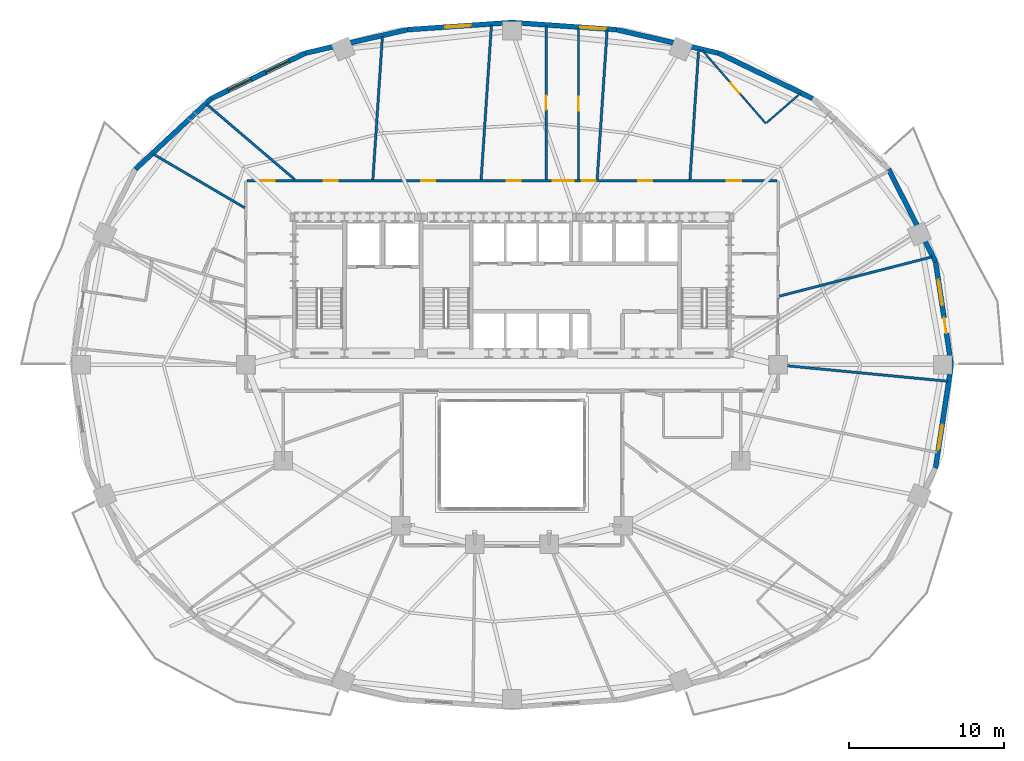
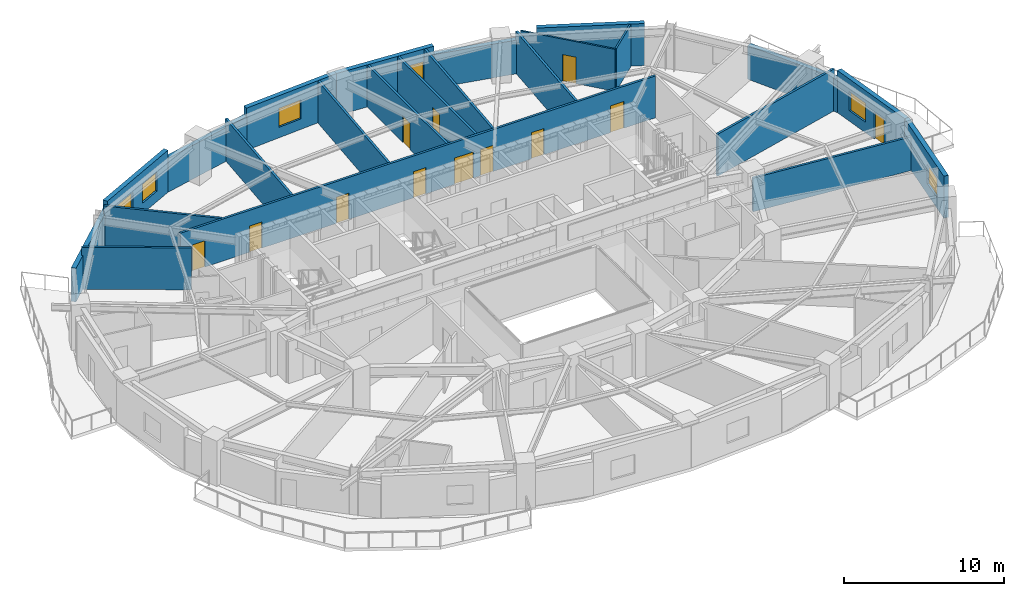
# One storey, part 10 of 14: 23 walls, 12 doors, 6 windows, 18 openings.
"""IFC4 building model written with IfcOpenShell, lengths in metres."""

from ifc_helpers import new_model, si_unit, direction, frame, frame_2d, origin, place, context, subcontext, project, spatial, rectangle, extrude, material, layer, layer_set, type_object, element, fill, save


model = new_model("IFC4")

# Units and contexts
model_context = context("Model", 3, precision=1e-05, world=origin(), true_north=direction((0.0, 1.0)))
body_context = subcontext(model_context, "Body", "Model", "MODEL_VIEW")
ifc_project = project(units=[si_unit("LENGTHUNIT", "METRE"), si_unit("AREAUNIT", "SQUARE_METRE"), si_unit("VOLUMEUNIT", "CUBIC_METRE"), si_unit("PLANEANGLEUNIT", "RADIAN"), si_unit("MASSUNIT", "GRAM", prefix="KILO")], contexts=[model_context])

# Site, building, storey
site_placement = place(None, origin())
site = spatial("IfcSite", under=ifc_project, at=site_placement, CompositionType="ELEMENT")
building_placement = place(site_placement, origin())
building = spatial("IfcBuilding", under=site, at=building_placement, Name="Haldorwick Loom Tower", CompositionType="ELEMENT")
storey_placement = place(building_placement, frame((0.0, 0.0, 99.050048828125)))
storey = spatial("IfcBuildingStorey", under=building, at=storey_placement, Name="L26", CompositionType="ELEMENT", Elevation=99.050048828125)

# Wall, openings, door, window
ifc_material_1 = material(Name="Pressed Clay Face Brick and Insulated Masonry Backup Assembly", Category="masonry")
ifc_layer_1 = layer(ifc_material_1, 0.320068359375, Name="Pressed Clay Face Brick and Insulated Masonry Backup Assembly", Category="masonry")
ifc_layer_set_1 = layer_set([ifc_layer_1], Name="Pressed Clay Face Brick and Insulated Masonry Backup Assembly")
wall_type_1 = type_object("IfcWallType", Name="ARC-WL-EXT320", PredefinedType="STANDARD", material=ifc_layer_set_1)
wall_1_placement = place(storey_placement, frame((64.397705078125, 26.0, 0.0), z_axis=(0.0, 0.0, 1.0), x_axis=(-0.150633288003, 0.988589708901, 0.0)))
wall_1 = element("IfcWall", 1, at=wall_1_placement, inside=storey, type_object=wall_type_1, Name="L26 Brick Pier and Spandrel Wall 1", PredefinedType="STANDARD", context=body_context, shape_type="SweptSolid", body=[
    extrude(rectangle(XDim=6.752197265625, YDim=0.320068359375, at=frame_2d((3.3759765625, 0.0))), origin(), (0.0, 0.0, 1.0), 3.2099609375),
])
opening_1_placement = place(wall_1_placement, frame((2.070556640625, 0.0, 0.0)))
opening_1 = element("IfcOpeningElement", 2, at=opening_1_placement, cuts=wall_1, Name="Opening D-BL10", PredefinedType="OPENING", context=body_context, shape_type="SweptSolid", body=[
    extrude(rectangle(XDim=1.0, YDim=2.0400390625, at=frame_2d((0.5, 1.02001953125))), frame((0.0, 0.169921875, 0.0), z_axis=(0.0, -1.0, 0.0), x_axis=(1.0, 0.0, 0.0)), (0.0, 0.0, 1.0), 0.340087890625),
])
opening_2_placement = place(wall_1_placement, frame((3.9013671875, 0.0, 0.800048828125)))
opening_2 = element("IfcOpeningElement", 3, at=opening_2_placement, cuts=wall_1, Name="Opening W-01B", PredefinedType="OPENING", context=body_context, shape_type="SweptSolid", body=[
    extrude(rectangle(XDim=1.64990234375, YDim=1.449951171875, at=frame_2d((0.824951171875, 0.72509765625))), frame((0.0, 0.169921875, 0.0), z_axis=(0.0, -1.0, 0.0), x_axis=(1.0, 0.0, 0.0)), (0.0, 0.0, 1.0), 0.340087890625),
])
ifc_material_2 = material(Name="Thermally Broken Anodized Aluminium Curtain Wall Framing", Category="aluminium")
door_type_1 = type_object("IfcDoorType", Name="ARC-DR-BAL100", OperationType="NOTDEFINED", PredefinedType="DOOR", material=ifc_material_2)
door_1_placement = place(opening_1_placement, origin())
door_1 = element("IfcDoor", 4, at=door_1_placement, inside=storey, type_object=door_type_1, Name="L26 Outdoor Terrace Door SLB-L26-BAL_ENE", OperationType="SINGLE_SWING_RIGHT", OverallHeight=2.0400390625, OverallWidth=1.0, PredefinedType="DOOR", context=body_context, shape_type="SweptSolid", body=[
    extrude(rectangle(XDim=1.0, YDim=2.0400390625, at=frame_2d((0.5, 1.02001953125))), frame((0.0, 0.02490234375, 0.0), z_axis=(0.0, -1.0, 0.0), x_axis=(1.0, 0.0, 0.0)), (0.0, 0.0, 1.0), 0.050048828125),
])
fill(opening_1, door_1)
ifc_material_3 = material(Name="Triple-Glazed Low-E Argon Insulated Glazing Unit", Category="glass")
window_type = type_object("IfcWindowType", Name="ARC-WIN-W165", PartitioningType="SINGLE_PANEL", PredefinedType="WINDOW", material=ifc_material_3)
window_1_placement = place(opening_2_placement, origin())
window_1 = element("IfcWindow", 5, at=window_1_placement, inside=storey, type_object=window_type, Name="L26 Deep-Set Zone 7A Window 1", OverallHeight=1.449951171875, OverallWidth=1.64990234375, PartitioningType="SINGLE_PANEL", PredefinedType="WINDOW", context=body_context, shape_type="SweptSolid", body=[
    extrude(rectangle(XDim=1.64990234375, YDim=1.449951171875, at=frame_2d((0.824951171875, 0.72509765625))), frame((0.0, 0.030029296875, 0.0), z_axis=(0.0, -1.0, 0.0), x_axis=(1.0, 0.0, 0.0)), (0.0, 0.0, 1.0), 0.06005859375),
])
fill(opening_2, window_1)

# Walls
wall_2_placement = place(storey_placement, frame((63.380615234375, 32.675048828125, 0.0), z_axis=(0.0, 0.0, 1.0), x_axis=(-0.453374078001, 0.89132033826, 0.0)))
element("IfcWall", 6, at=wall_2_placement, inside=storey, type_object=wall_type_1, Name="L26 Brick Pier and Spandrel Wall 2", PredefinedType="STANDARD", context=body_context, shape_type="SweptSolid", body=[
    extrude(rectangle(XDim=6.709716796875, YDim=0.320068359375, at=frame_2d((3.35498046875, 0.0))), origin(), (0.0, 0.0, 1.0), 2.56884765625),
])
wall_3_placement = place(storey_placement, frame((55.426513671875, 43.2255859375, 0.0), z_axis=(0.0, 0.0, 1.0), x_axis=(-0.900510094661, 0.434835106004, 0.0)))
element("IfcWall", 7, at=wall_3_placement, inside=storey, type_object=wall_type_1, Name="L26 Brick Pier and Spandrel Wall 4", PredefinedType="STANDARD", context=body_context, shape_type="SweptSolid", body=[
    extrude(rectangle(XDim=6.744873046875, YDim=0.320068359375, at=frame_2d((3.37255859375, 0.0))), origin(), (0.0, 0.0, 1.0), 3.2099609375),
])
wall_4_placement = place(storey_placement, frame((49.352783203125, 46.158447265625, 0.0), z_axis=(0.0, 0.0, 1.0), x_axis=(-0.974584177714, 0.224021607329, 0.0)))
element("IfcWall", 8, at=wall_4_placement, inside=storey, type_object=wall_type_1, Name="L26 Brick Pier and Spandrel Wall 5", PredefinedType="STANDARD", context=body_context, shape_type="SweptSolid", body=[
    extrude(rectangle(XDim=6.767822265625, YDim=0.320068359375, at=frame_2d((3.3837890625, 0.0))), origin(), (0.0, 0.0, 1.0), 2.56884765625),
])

# Wall, opening, window
wall_5_placement = place(storey_placement, frame((42.757080078125, 47.674560546875, 0.0), z_axis=(0.0, 0.0, 1.0), x_axis=(-0.997651949344, 0.068487867318, 0.0)))
wall_5 = element("IfcWall", 9, at=wall_5_placement, inside=storey, type_object=wall_type_1, Name="L26 Brick Pier and Spandrel Wall 6", PredefinedType="STANDARD", context=body_context, shape_type="SweptSolid", body=[
    extrude(rectangle(XDim=6.77294921875, YDim=0.320068359375, at=frame_2d((3.386474609375, 0.0))), origin(), (0.0, 0.0, 1.0), 3.2099609375),
])
opening_3_placement = place(wall_5_placement, frame((0.7001953125, 0.0, 0.800048828125)))
opening_3 = element("IfcOpeningElement", 10, at=opening_3_placement, cuts=wall_5, Name="Opening W-01B", PredefinedType="OPENING", context=body_context, shape_type="SweptSolid", body=[
    extrude(rectangle(XDim=1.64990234375, YDim=1.449951171875, at=frame_2d((0.824951171875, 0.72509765625))), frame((0.0, 0.169921875, 0.0), z_axis=(0.0, -1.0, 0.0), x_axis=(1.0, 0.0, 0.0)), (0.0, 0.0, 1.0), 0.340087890625),
])
window_2_placement = place(opening_3_placement, origin())
window_2 = element("IfcWindow", 11, at=window_2_placement, inside=storey, type_object=window_type, Name="L26 Deep-Set Zone 7A Window 6", OverallHeight=1.449951171875, OverallWidth=1.64990234375, PartitioningType="SINGLE_PANEL", PredefinedType="WINDOW", context=body_context, shape_type="SweptSolid", body=[
    extrude(rectangle(XDim=1.64990234375, YDim=1.449951171875, at=frame_2d((0.824951171875, 0.72509765625))), frame((0.0, 0.030029296875, 0.0), z_axis=(0.0, -1.0, 0.0), x_axis=(1.0, 0.0, 0.0)), (0.0, 0.0, 1.0), 0.06005859375),
])
fill(opening_3, window_2)

wall_6_placement = place(storey_placement, frame((36.0, 48.138427734375, 0.0), z_axis=(0.0, 0.0, 1.0), x_axis=(-0.997651949344, -0.068487867318, 0.0)))
wall_6 = element("IfcWall", 12, at=wall_6_placement, inside=storey, type_object=wall_type_1, Name="L26 Brick Pier and Spandrel Wall 7", PredefinedType="STANDARD", context=body_context, shape_type="SweptSolid", body=[
    extrude(rectangle(XDim=6.77294921875, YDim=0.320068359375, at=frame_2d((3.386474609375, 0.0))), origin(), (0.0, 0.0, 1.0), 3.2099609375),
])
opening_4_placement = place(wall_6_placement, frame((2.681640625, 0.0, 0.800048828125)))
opening_4 = element("IfcOpeningElement", 13, at=opening_4_placement, cuts=wall_6, Name="Opening W-01B", PredefinedType="OPENING", context=body_context, shape_type="SweptSolid", body=[
    extrude(rectangle(XDim=1.64990234375, YDim=1.449951171875, at=frame_2d((0.824951171875, 0.72509765625))), frame((0.0, 0.169921875, 0.0), z_axis=(0.0, -1.0, 0.0), x_axis=(1.0, 0.0, 0.0)), (0.0, 0.0, 1.0), 0.340087890625),
])
window_3_placement = place(opening_4_placement, origin())
window_3 = element("IfcWindow", 14, at=window_3_placement, inside=storey, type_object=window_type, Name="L26 Deep-Set Zone 7A Window 7", OverallHeight=1.449951171875, OverallWidth=1.64990234375, PartitioningType="SINGLE_PANEL", PredefinedType="WINDOW", context=body_context, shape_type="SweptSolid", body=[
    extrude(rectangle(XDim=1.64990234375, YDim=1.449951171875, at=frame_2d((0.824951171875, 0.72509765625))), frame((0.0, 0.030029296875, 0.0), z_axis=(0.0, -1.0, 0.0), x_axis=(1.0, 0.0, 0.0)), (0.0, 0.0, 1.0), 0.06005859375),
])
fill(opening_4, window_3)

# Wall
wall_7_placement = place(storey_placement, frame((29.242919921875, 47.674560546875, 0.0), z_axis=(0.0, 0.0, 1.0), x_axis=(-0.974584177714, -0.224021607329, 0.0)))
element("IfcWall", 15, at=wall_7_placement, inside=storey, type_object=wall_type_1, Name="L26 Brick Pier and Spandrel Wall 8", PredefinedType="STANDARD", context=body_context, shape_type="SweptSolid", body=[
    extrude(rectangle(XDim=6.767822265625, YDim=0.320068359375, at=frame_2d((3.3837890625, 0.0))), origin(), (0.0, 0.0, 1.0), 2.56884765625),
])

# Wall, openings, windows
wall_8_placement = place(storey_placement, frame((22.647216796875, 46.158447265625, 0.0), z_axis=(0.0, 0.0, 1.0), x_axis=(-0.900510094661, -0.434835106004, 0.0)))
wall_8 = element("IfcWall", 16, at=wall_8_placement, inside=storey, type_object=wall_type_1, Name="L26 Brick Pier and Spandrel Wall 9", PredefinedType="STANDARD", context=body_context, shape_type="SweptSolid", body=[
    extrude(rectangle(XDim=6.744873046875, YDim=0.320068359375, at=frame_2d((3.37255859375, 0.0))), origin(), (0.0, 0.0, 1.0), 3.2099609375),
])
opening_5_placement = place(wall_8_placement, frame((1.198486328125, 0.0, 0.800048828125)))
opening_5 = element("IfcOpeningElement", 17, at=opening_5_placement, cuts=wall_8, Name="Opening W-01B", PredefinedType="OPENING", context=body_context, shape_type="SweptSolid", body=[
    extrude(rectangle(XDim=1.64990234375, YDim=1.449951171875, at=frame_2d((0.824951171875, 0.72509765625))), frame((0.0, 0.169921875, 0.0), z_axis=(0.0, -1.0, 0.0), x_axis=(1.0, 0.0, 0.0)), (0.0, 0.0, 1.0), 0.340087890625),
])
opening_6_placement = place(wall_8_placement, frame((3.896484375, 0.0, 0.800048828125)))
opening_6 = element("IfcOpeningElement", 18, at=opening_6_placement, cuts=wall_8, Name="Opening W-01B", PredefinedType="OPENING", context=body_context, shape_type="SweptSolid", body=[
    extrude(rectangle(XDim=1.64990234375, YDim=1.449951171875, at=frame_2d((0.824951171875, 0.72509765625))), frame((0.0, 0.169921875, 0.0), z_axis=(0.0, -1.0, 0.0), x_axis=(1.0, 0.0, 0.0)), (0.0, 0.0, 1.0), 0.340087890625),
])
window_4_placement = place(opening_5_placement, origin())
window_4 = element("IfcWindow", 19, at=window_4_placement, inside=storey, type_object=window_type, Name="L26 Deep-Set Zone 7A Window 9", OverallHeight=1.449951171875, OverallWidth=1.64990234375, PartitioningType="SINGLE_PANEL", PredefinedType="WINDOW", context=body_context, shape_type="SweptSolid", body=[
    extrude(rectangle(XDim=1.64990234375, YDim=1.449951171875, at=frame_2d((0.824951171875, 0.72509765625))), frame((0.0, 0.030029296875, 0.0), z_axis=(0.0, -1.0, 0.0), x_axis=(1.0, 0.0, 0.0)), (0.0, 0.0, 1.0), 0.06005859375),
])
fill(opening_5, window_4)
window_5_placement = place(opening_6_placement, origin())
window_5 = element("IfcWindow", 20, at=window_5_placement, inside=storey, type_object=window_type, Name="L26 Deep-Set Zone 7A Window 9", OverallHeight=1.449951171875, OverallWidth=1.64990234375, PartitioningType="SINGLE_PANEL", PredefinedType="WINDOW", context=body_context, shape_type="SweptSolid", body=[
    extrude(rectangle(XDim=1.64990234375, YDim=1.449951171875, at=frame_2d((0.824951171875, 0.72509765625))), frame((0.0, 0.030029296875, 0.0), z_axis=(0.0, -1.0, 0.0), x_axis=(1.0, 0.0, 0.0)), (0.0, 0.0, 1.0), 0.06005859375),
])
fill(opening_6, window_5)

# Wall
wall_9_placement = place(storey_placement, frame((16.573486328125, 43.2255859375, 0.0), z_axis=(0.0, 0.0, 1.0), x_axis=(-0.732137360086, -0.681157020052, 0.0)))
element("IfcWall", 21, at=wall_9_placement, inside=storey, type_object=wall_type_1, Name="L26 Brick Pier and Spandrel Wall 10", PredefinedType="STANDARD", context=body_context, shape_type="SweptSolid", body=[
    extrude(rectangle(XDim=6.709228515625, YDim=0.320068359375, at=frame_2d((3.3544921875, 0.0))), origin(), (0.0, 0.0, 1.0), 2.56884765625),
])

# Wall, opening, window
wall_10_placement = place(storey_placement, frame((63.380615234375, 19.324951171875, 0.0), z_axis=(0.0, 0.0, 1.0), x_axis=(0.150633288003, 0.988589708901, 0.0)))
wall_10 = element("IfcWall", 22, at=wall_10_placement, inside=storey, type_object=wall_type_1, Name="L26 Brick Pier and Spandrel Wall 24", PredefinedType="STANDARD", context=body_context, shape_type="SweptSolid", body=[
    extrude(rectangle(XDim=6.752197265625, YDim=0.320068359375, at=frame_2d((3.3759765625, 0.0))), origin(), (0.0, 0.0, 1.0), 3.2099609375),
])
opening_7_placement = place(wall_10_placement, frame((1.20068359375, 0.0, 0.800048828125)))
opening_7 = element("IfcOpeningElement", 23, at=opening_7_placement, cuts=wall_10, Name="Opening W-01B", PredefinedType="OPENING", context=body_context, shape_type="SweptSolid", body=[
    extrude(rectangle(XDim=1.64990234375, YDim=1.449951171875, at=frame_2d((0.824951171875, 0.72509765625))), frame((0.0, 0.169921875, 0.0), z_axis=(0.0, -1.0, 0.0), x_axis=(1.0, 0.0, 0.0)), (0.0, 0.0, 1.0), 0.340087890625),
])
window_6_placement = place(opening_7_placement, origin())
window_6 = element("IfcWindow", 24, at=window_6_placement, inside=storey, type_object=window_type, Name="L26 Deep-Set Zone 7A Window 24", OverallHeight=1.449951171875, OverallWidth=1.64990234375, PartitioningType="SINGLE_PANEL", PredefinedType="WINDOW", context=body_context, shape_type="SweptSolid", body=[
    extrude(rectangle(XDim=1.64990234375, YDim=1.449951171875, at=frame_2d((0.824951171875, 0.72509765625))), frame((0.0, 0.030029296875, 0.0), z_axis=(0.0, -1.0, 0.0), x_axis=(1.0, 0.0, 0.0)), (0.0, 0.0, 1.0), 0.06005859375),
])
fill(opening_7, window_6)

# Wall, openings, doors
ifc_material_4 = material(Name="Fire-Rated Type X Gypsum Stud Assembly EI 60")
ifc_layer_2 = layer(ifc_material_4, 0.159912109375, Name="Fire-Rated Type X Gypsum Stud Assembly EI 60")
ifc_layer_set_2 = layer_set([ifc_layer_2], Name="Fire-Rated Type X Gypsum Stud Assembly EI 60")
wall_type_2 = type_object("IfcWallType", Name="ARC-WL-FIRE160", PredefinedType="PARTITIONING", material=ifc_layer_set_2)
wall_11_placement = place(storey_placement, frame((18.883056640625, 37.89990234375, 0.0), z_axis=(0.0, 0.0, 1.0), x_axis=(1.0, 0.0, 0.0)))
wall_11 = element("IfcWall", 25, at=wall_11_placement, inside=storey, type_object=wall_type_2, Name="L26 Residential Fire Partition L26-CR-N0", PredefinedType="PARTITIONING", context=body_context, shape_type="SweptSolid", body=[
    extrude(rectangle(XDim=34.23388671875, YDim=0.159912109375, at=frame_2d((17.116943359375, 0.0))), origin(), (0.0, 0.0, 1.0), 3.195068359375),
])
opening_8_placement = place(wall_11_placement, frame((19.7548828125, 0.0, 0.0)))
opening_8 = element("IfcOpeningElement", 26, at=opening_8_placement, cuts=wall_11, Name="Opening D-CR15", PredefinedType="OPENING", context=body_context, shape_type="SweptSolid", body=[
    extrude(rectangle(XDim=1.35009765625, YDim=2.0, at=frame_2d((0.675048828125, 1.0))), frame((0.0, 0.08984375, 0.0), z_axis=(0.0, -1.0, 0.0), x_axis=(1.0, 0.0, 0.0)), (0.0, 0.0, 1.0), 0.179931640625),
])
opening_9_placement = place(wall_11_placement, frame((11.255859375, 0.0, 0.0)))
opening_9 = element("IfcOpeningElement", 27, at=opening_9_placement, cuts=wall_11, Name="Opening D-FD60A", PredefinedType="OPENING", context=body_context, shape_type="SweptSolid", body=[
    extrude(rectangle(XDim=0.89990234375, YDim=2.0, at=frame_2d((0.449951171875, 1.0))), frame((0.0, 0.08984375, 0.0), z_axis=(0.0, -1.0, 0.0), x_axis=(1.0, 0.0, 0.0)), (0.0, 0.0, 1.0), 0.179931640625),
])
opening_10_placement = place(wall_11_placement, frame((25.28076171875, 0.0, 0.0)))
opening_10 = element("IfcOpeningElement", 28, at=opening_10_placement, cuts=wall_11, Name="Opening D-FD60A", PredefinedType="OPENING", context=body_context, shape_type="SweptSolid", body=[
    extrude(rectangle(XDim=0.89990234375, YDim=2.0, at=frame_2d((0.449951171875, 1.0))), frame((0.0, 0.08984375, 0.0), z_axis=(0.0, -1.0, 0.0), x_axis=(1.0, 0.0, 0.0)), (0.0, 0.0, 1.0), 0.179931640625),
])
opening_11_placement = place(wall_11_placement, frame((4.961181640625, 0.0, 0.0)))
opening_11 = element("IfcOpeningElement", 29, at=opening_11_placement, cuts=wall_11, Name="Opening D-FD60A", PredefinedType="OPENING", context=body_context, shape_type="SweptSolid", body=[
    extrude(rectangle(XDim=0.89990234375, YDim=2.0, at=frame_2d((0.449951171875, 1.0))), frame((0.0, 0.08984375, 0.0), z_axis=(0.0, -1.0, 0.0), x_axis=(1.0, 0.0, 0.0)), (0.0, 0.0, 1.0), 0.179931640625),
])
opening_12_placement = place(wall_11_placement, frame((30.998291015625, 0.0, 0.0)))
opening_12 = element("IfcOpeningElement", 30, at=opening_12_placement, cuts=wall_11, Name="Opening D-FL95", PredefinedType="OPENING", context=body_context, shape_type="SweptSolid", body=[
    extrude(rectangle(XDim=0.949951171875, YDim=2.0400390625, at=frame_2d((0.47509765625, 1.02001953125))), frame((0.0, 0.08984375, 0.0), z_axis=(0.0, -1.0, 0.0), x_axis=(1.0, 0.0, 0.0)), (0.0, 0.0, 1.0), 0.179931640625),
])
opening_13_placement = place(wall_11_placement, frame((16.77734375, 0.0, 0.0)))
opening_13 = element("IfcOpeningElement", 31, at=opening_13_placement, cuts=wall_11, Name="Opening D-FD60A", PredefinedType="OPENING", context=body_context, shape_type="SweptSolid", body=[
    extrude(rectangle(XDim=0.89990234375, YDim=2.0, at=frame_2d((0.449951171875, 1.0))), frame((0.0, 0.08984375, 0.0), z_axis=(0.0, -1.0, 0.0), x_axis=(1.0, 0.0, 0.0)), (0.0, 0.0, 1.0), 0.179931640625),
])
opening_14_placement = place(wall_11_placement, frame((0.8701171875, 0.0, 0.0)))
opening_14 = element("IfcOpeningElement", 32, at=opening_14_placement, cuts=wall_11, Name="Opening D-FD60A", PredefinedType="OPENING", context=body_context, shape_type="SweptSolid", body=[
    extrude(rectangle(XDim=0.89990234375, YDim=2.0, at=frame_2d((0.449951171875, 1.0))), frame((0.0, 0.08984375, 0.0), z_axis=(0.0, -1.0, 0.0), x_axis=(1.0, 0.0, 0.0)), (0.0, 0.0, 1.0), 0.179931640625),
])
opening_15_placement = place(wall_11_placement, frame((21.636474609375, 0.0, 0.0)))
opening_15 = element("IfcOpeningElement", 33, at=opening_15_placement, cuts=wall_11, Name="Opening D-FD60A", PredefinedType="OPENING", context=body_context, shape_type="SweptSolid", body=[
    extrude(rectangle(XDim=0.89990234375, YDim=2.0, at=frame_2d((0.449951171875, 1.0))), frame((0.0, 0.08984375, 0.0), z_axis=(0.0, -1.0, 0.0), x_axis=(1.0, 0.0, 0.0)), (0.0, 0.0, 1.0), 0.179931640625),
])
ifc_material_5 = material(Name="Thermally Broken Anodized Aluminium and Tempered Glass", Category="aluminium")
door_type_2 = type_object("IfcDoorType", Name="ARC-DR-COR150", OperationType="NOTDEFINED", PredefinedType="DOOR", material=ifc_material_5)
door_2_placement = place(opening_8_placement, origin())
door_2 = element("IfcDoor", 34, at=door_2_placement, inside=storey, type_object=door_type_2, Name="L26 L26 North Daylight Corridor to L26 North Residential Corridor Door", OperationType="DOUBLE_DOOR_SINGLE_SWING", OverallHeight=2.0, OverallWidth=1.35009765625, PredefinedType="DOOR", context=body_context, shape_type="SweptSolid", body=[
    extrude(rectangle(XDim=1.35009765625, YDim=2.0, at=frame_2d((0.675048828125, 1.0))), frame((0.0, 0.02490234375, 0.0), z_axis=(0.0, -1.0, 0.0), x_axis=(1.0, 0.0, 0.0)), (0.0, 0.0, 1.0), 0.050048828125),
])
fill(opening_8, door_2)
ifc_material_6 = material(Name="Hollow Steel Fire Door Assembly", Category="steel")
door_type_3 = type_object("IfcDoorType", Name="ARC-DR-FD60-90", OperationType="NOTDEFINED", PredefinedType="DOOR", material=ifc_material_6)
door_3_placement = place(opening_9_placement, frame((0.89990234375, 0.0, 0.0), z_axis=(0.0, 0.0, 1.0), x_axis=(-1.0, 0.0, 0.0)))
door_3 = element("IfcDoor", 35, at=door_3_placement, inside=storey, type_object=door_type_3, Name="L26 Co-Working Open Office 4 to L26 North Residential Corridor Door", OperationType="SINGLE_SWING_LEFT", OverallHeight=2.0, OverallWidth=0.89990234375, PredefinedType="DOOR", context=body_context, shape_type="SweptSolid", body=[
    extrude(rectangle(XDim=0.89990234375, YDim=2.0, at=frame_2d((0.449951171875, 1.0))), frame((0.0, 0.02490234375, 0.0), z_axis=(0.0, -1.0, 0.0), x_axis=(1.0, 0.0, 0.0)), (0.0, 0.0, 1.0), 0.050048828125),
])
fill(opening_9, door_3)
door_4_placement = place(opening_10_placement, frame((0.89990234375, 0.0, 0.0), z_axis=(0.0, 0.0, 1.0), x_axis=(-1.0, 0.0, 0.0)))
door_4 = element("IfcDoor", 36, at=door_4_placement, inside=storey, type_object=door_type_3, Name="L26 Co-Working Open Office 3 to L26 North Residential Corridor Door", OperationType="SINGLE_SWING_RIGHT", OverallHeight=2.0, OverallWidth=0.89990234375, PredefinedType="DOOR", context=body_context, shape_type="SweptSolid", body=[
    extrude(rectangle(XDim=0.89990234375, YDim=2.0, at=frame_2d((0.449951171875, 1.0))), frame((0.0, 0.02490234375, 0.0), z_axis=(0.0, -1.0, 0.0), x_axis=(1.0, 0.0, 0.0)), (0.0, 0.0, 1.0), 0.050048828125),
])
fill(opening_10, door_4)
door_5_placement = place(opening_11_placement, frame((0.89990234375, 0.0, 0.0), z_axis=(0.0, 0.0, 1.0), x_axis=(-1.0, 0.0, 0.0)))
door_5 = element("IfcDoor", 37, at=door_5_placement, inside=storey, type_object=door_type_3, Name="L26 Co-Working Open Office 12 to L26 North Residential Corridor Door", OperationType="SINGLE_SWING_RIGHT", OverallHeight=2.0, OverallWidth=0.89990234375, PredefinedType="DOOR", context=body_context, shape_type="SweptSolid", body=[
    extrude(rectangle(XDim=0.89990234375, YDim=2.0, at=frame_2d((0.449951171875, 1.0))), frame((0.0, 0.02490234375, 0.0), z_axis=(0.0, -1.0, 0.0), x_axis=(1.0, 0.0, 0.0)), (0.0, 0.0, 1.0), 0.050048828125),
])
fill(opening_11, door_5)
door_6_placement = place(opening_13_placement, frame((0.89990234375, 0.0, 0.0), z_axis=(0.0, 0.0, 1.0), x_axis=(-1.0, 0.0, 0.0)))
door_6 = element("IfcDoor", 38, at=door_6_placement, inside=storey, type_object=door_type_3, Name="L26 Co-Working Open Office 8 to L26 North Residential Corridor Door", OperationType="SINGLE_SWING_LEFT", OverallHeight=2.0, OverallWidth=0.89990234375, PredefinedType="DOOR", context=body_context, shape_type="SweptSolid", body=[
    extrude(rectangle(XDim=0.89990234375, YDim=2.0, at=frame_2d((0.449951171875, 1.0))), frame((0.0, 0.02490234375, 0.0), z_axis=(0.0, -1.0, 0.0), x_axis=(1.0, 0.0, 0.0)), (0.0, 0.0, 1.0), 0.050048828125),
])
fill(opening_13, door_6)
door_7_placement = place(opening_14_placement, frame((0.89990234375, 0.0, 0.0), z_axis=(0.0, 0.0, 1.0), x_axis=(-1.0, 0.0, 0.0)))
door_7 = element("IfcDoor", 39, at=door_7_placement, inside=storey, type_object=door_type_3, Name="L26 Tenant Committee Meeting Room 17 to L26 North Residential Corridor D", OperationType="SINGLE_SWING_LEFT", OverallHeight=2.0, OverallWidth=0.89990234375, PredefinedType="DOOR", context=body_context, shape_type="SweptSolid", body=[
    extrude(rectangle(XDim=0.89990234375, YDim=2.0, at=frame_2d((0.449951171875, 1.0))), frame((0.0, 0.02490234375, 0.0), z_axis=(0.0, -1.0, 0.0), x_axis=(1.0, 0.0, 0.0)), (0.0, 0.0, 1.0), 0.050048828125),
])
fill(opening_14, door_7)
door_8_placement = place(opening_15_placement, frame((0.89990234375, 0.0, 0.0), z_axis=(0.0, 0.0, 1.0), x_axis=(-1.0, 0.0, 0.0)))
door_8 = element("IfcDoor", 40, at=door_8_placement, inside=storey, type_object=door_type_3, Name="L26 Tenant Committee Meeting Room 9 to L26 North Residential Corridor Do", OperationType="SINGLE_SWING_RIGHT", OverallHeight=2.0, OverallWidth=0.89990234375, PredefinedType="DOOR", context=body_context, shape_type="SweptSolid", body=[
    extrude(rectangle(XDim=0.89990234375, YDim=2.0, at=frame_2d((0.449951171875, 1.0))), frame((0.0, 0.02490234375, 0.0), z_axis=(0.0, -1.0, 0.0), x_axis=(1.0, 0.0, 0.0)), (0.0, 0.0, 1.0), 0.050048828125),
])
fill(opening_15, door_8)
ifc_material_7 = material(Name="Solid Core Birch Architectural Door")
door_type_4 = type_object("IfcDoorType", Name="ARC-DR-FLAT95", OperationType="NOTDEFINED", PredefinedType="DOOR", material=ifc_material_7)
door_9_placement = place(opening_12_placement, frame((0.949951171875, 0.0, 0.0), z_axis=(0.0, 0.0, 1.0), x_axis=(-1.0, 0.0, 0.0)))
door_9 = element("IfcDoor", 41, at=door_9_placement, inside=storey, type_object=door_type_4, Name="L26 Unit 26B Kitchen and Studio Living Room to L26 North Residential Cor", OperationType="SINGLE_SWING_LEFT", OverallHeight=2.0400390625, OverallWidth=0.949951171875, PredefinedType="DOOR", context=body_context, shape_type="SweptSolid", body=[
    extrude(rectangle(XDim=0.949951171875, YDim=2.0400390625, at=frame_2d((0.47509765625, 1.02001953125))), frame((0.0, 0.02490234375, 0.0), z_axis=(0.0, -1.0, 0.0), x_axis=(1.0, 0.0, 0.0)), (0.0, 0.0, 1.0), 0.050048828125),
])
fill(opening_12, door_9)

# Wall, opening, door
wall_12_placement = place(storey_placement, frame((38.199951171875, 37.98291015625, 0.0), z_axis=(0.0, 0.0, 1.0), x_axis=(0.0, 1.0, 0.0)))
wall_12 = element("IfcWall", 42, at=wall_12_placement, inside=storey, type_object=wall_type_2, Name="L26 Residential Fire Partition L26-CR-NG0", PredefinedType="PARTITIONING", context=body_context, shape_type="SweptSolid", body=[
    extrude(rectangle(XDim=9.939208984375, YDim=0.159912109375, at=frame_2d((4.9697265625, 0.0))), origin(), (0.0, 0.0, 1.0), 3.195068359375),
])
opening_16_placement = place(wall_12_placement, frame((4.51953125, 0.0, 0.0)))
opening_16 = element("IfcOpeningElement", 43, at=opening_16_placement, cuts=wall_12, Name="Opening D-FD60A", PredefinedType="OPENING", context=body_context, shape_type="SweptSolid", body=[
    extrude(rectangle(XDim=0.89990234375, YDim=2.0, at=frame_2d((0.449951171875, 1.0))), frame((0.0, 0.08984375, 0.0), z_axis=(0.0, -1.0, 0.0), x_axis=(1.0, 0.0, 0.0)), (0.0, 0.0, 1.0), 0.179931640625),
])
door_10_placement = place(opening_16_placement, frame((0.89990234375, 0.0, 0.0), z_axis=(0.0, 0.0, 1.0), x_axis=(-1.0, 0.0, 0.0)))
door_10 = element("IfcDoor", 44, at=door_10_placement, inside=storey, type_object=door_type_3, Name="L26 Co-Working Open Office 8 to L26 North Daylight Corridor Door", OperationType="SINGLE_SWING_RIGHT", OverallHeight=2.0, OverallWidth=0.89990234375, PredefinedType="DOOR", context=body_context, shape_type="SweptSolid", body=[
    extrude(rectangle(XDim=0.89990234375, YDim=2.0, at=frame_2d((0.449951171875, 1.0))), frame((0.0, 0.02490234375, 0.0), z_axis=(0.0, -1.0, 0.0), x_axis=(1.0, 0.0, 0.0)), (0.0, 0.0, 1.0), 0.050048828125),
])
fill(opening_16, door_10)

wall_13_placement = place(storey_placement, frame((40.300048828125, 37.98291015625, 0.0), z_axis=(0.0, 0.0, 1.0), x_axis=(0.0, 1.0, 0.0)))
wall_13 = element("IfcWall", 45, at=wall_13_placement, inside=storey, type_object=wall_type_2, Name="L26 Residential Fire Partition L26-CR-NG1", PredefinedType="PARTITIONING", context=body_context, shape_type="SweptSolid", body=[
    extrude(rectangle(XDim=9.795166015625, YDim=0.159912109375, at=frame_2d((4.8974609375, 0.0))), origin(), (0.0, 0.0, 1.0), 3.195068359375),
])
opening_17_placement = place(wall_13_placement, frame((4.447509765625, 0.0, 0.0)))
opening_17 = element("IfcOpeningElement", 46, at=opening_17_placement, cuts=wall_13, Name="Opening D-FD60A", PredefinedType="OPENING", context=body_context, shape_type="SweptSolid", body=[
    extrude(rectangle(XDim=0.89990234375, YDim=2.0, at=frame_2d((0.449951171875, 1.0))), frame((0.0, 0.08984375, 0.0), z_axis=(0.0, -1.0, 0.0), x_axis=(1.0, 0.0, 0.0)), (0.0, 0.0, 1.0), 0.179931640625),
])
door_11_placement = place(opening_17_placement, origin())
door_11 = element("IfcDoor", 47, at=door_11_placement, inside=storey, type_object=door_type_3, Name="L26 L26 North Daylight Corridor to Tenant Committee Meeting Room 9 Door", OperationType="SINGLE_SWING_LEFT", OverallHeight=2.0, OverallWidth=0.89990234375, PredefinedType="DOOR", context=body_context, shape_type="SweptSolid", body=[
    extrude(rectangle(XDim=0.89990234375, YDim=2.0, at=frame_2d((0.449951171875, 1.0))), frame((0.0, 0.02490234375, 0.0), z_axis=(0.0, -1.0, 0.0), x_axis=(1.0, 0.0, 0.0)), (0.0, 0.0, 1.0), 0.050048828125),
])
fill(opening_17, door_11)

# Walls
wall_14_placement = place(storey_placement, frame((53.282958984375, 25.991943359375, 0.0), z_axis=(0.0, 0.0, 1.0), x_axis=(0.995396629951, -0.095841270243, 0.0)))
element("IfcWall", 48, at=wall_14_placement, inside=storey, type_object=wall_type_2, Name="L26 Residential Fire Partition L26-ICR-01", PredefinedType="PARTITIONING", context=body_context, shape_type="SweptSolid", body=[
    extrude(rectangle(XDim=10.938232421875, YDim=0.159912109375, at=frame_2d((5.46923828125, 0.0))), origin(), (0.0, 0.0, 1.0), 2.56787109375),
])
wall_15_placement = place(storey_placement, frame((27.005615234375, 37.98291015625, 0.0), z_axis=(0.0, 0.0, 1.0), x_axis=(0.06655745417, 0.997782594203, 0.0)))
element("IfcWall", 49, at=wall_15_placement, inside=storey, type_object=wall_type_2, Name="L26 Residential Fire Partition L26-UPN-13", PredefinedType="PARTITIONING", context=body_context, shape_type="SweptSolid", body=[
    extrude(rectangle(XDim=9.27294921875, YDim=0.159912109375, at=frame_2d((4.636474609375, 0.0))), origin(), (0.0, 0.0, 1.0), 3.195068359375),
])
wall_16_placement = place(storey_placement, frame((34.005615234375, 37.98291015625, 0.0), z_axis=(0.0, 0.0, 1.0), x_axis=(0.066556199818, 0.997782677874, 0.0)))
element("IfcWall", 50, at=wall_16_placement, inside=storey, type_object=wall_type_2, Name="L26 Residential Fire Partition L26-UPN-14", PredefinedType="PARTITIONING", context=body_context, shape_type="SweptSolid", body=[
    extrude(rectangle(XDim=10.021484375, YDim=0.159912109375, at=frame_2d((5.0107421875, 0.0))), origin(), (0.0, 0.0, 1.0), 3.195068359375),
])
wall_17_placement = place(storey_placement, frame((41.505615234375, 37.98291015625, 0.0), z_axis=(0.0, 0.0, 1.0), x_axis=(0.066544095566, 0.997783485204, 0.0)))
element("IfcWall", 51, at=wall_17_placement, inside=storey, type_object=wall_type_2, Name="L26 Residential Fire Partition L26-UPN-15", PredefinedType="PARTITIONING", context=body_context, shape_type="SweptSolid", body=[
    extrude(rectangle(XDim=9.689453125, YDim=0.159912109375, at=frame_2d((4.8447265625, 0.0))), origin(), (0.0, 0.0, 1.0), 3.195068359375),
])
wall_18_placement = place(storey_placement, frame((47.505615234375, 37.98291015625, 0.0), z_axis=(0.0, 0.0, 1.0), x_axis=(0.066547866509, 0.997783233705, 0.0)))
element("IfcWall", 52, at=wall_18_placement, inside=storey, type_object=wall_type_2, Name="L26 Residential Fire Partition L26-UPN-16", PredefinedType="PARTITIONING", context=body_context, shape_type="SweptSolid", body=[
    extrude(rectangle(XDim=8.423095703125, YDim=0.159912109375, at=frame_2d((4.21142578125, 0.0))), origin(), (0.0, 0.0, 1.0), 3.195068359375),
])
wall_19_placement = place(storey_placement, frame((18.717041015625, 36.157958984375, 0.0), z_axis=(0.0, 0.0, 1.0), x_axis=(-0.862123648981, 0.506697951316, 0.0)))
element("IfcWall", 53, at=wall_19_placement, inside=storey, type_object=wall_type_2, Name="L26 Suite Split Wall", PredefinedType="PARTITIONING", context=body_context, shape_type="SweptSolid", body=[
    extrude(rectangle(XDim=6.85595703125, YDim=0.159912109375, at=frame_2d((3.427978515625, 0.0))), origin(), (0.0, 0.0, 1.0), 3.195068359375),
])
wall_20_placement = place(storey_placement, frame((53.282958984375, 30.4453125, 0.0), z_axis=(0.0, 0.0, 1.0), x_axis=(0.968484015362, 0.249075715374, 0.0)))
element("IfcWall", 54, at=wall_20_placement, inside=storey, type_object=wall_type_2, Name="L26 Suite Split Wall", PredefinedType="PARTITIONING", context=body_context, shape_type="SweptSolid", body=[
    extrude(rectangle(XDim=10.18896484375, YDim=0.159912109375, at=frame_2d((5.094482421875, 0.0))), origin(), (0.0, 0.0, 1.0), 3.195068359375),
])
wall_21_placement = place(storey_placement, frame((21.960205078125, 37.98291015625, 0.0), z_axis=(0.0, 0.0, 1.0), x_axis=(-0.76061669974, 0.649201229263, 0.0)))
element("IfcWall", 55, at=wall_21_placement, inside=storey, type_object=wall_type_2, Name="L26 Suite Split Wall", PredefinedType="PARTITIONING", context=body_context, shape_type="SweptSolid", body=[
    extrude(rectangle(XDim=7.491943359375, YDim=0.159912109375, at=frame_2d((3.74609375, 0.0))), origin(), (0.0, 0.0, 1.0), 3.195068359375),
])

# Wall, opening, door
ifc_material_8 = material(Name="Acoustic Gypsum Stud Assembly STC 55")
ifc_layer_3 = layer(ifc_material_8, 0.1201171875, Name="Acoustic Gypsum Stud Assembly STC 55")
ifc_layer_set_3 = layer_set([ifc_layer_3], Name="Acoustic Gypsum Stud Assembly STC 55")
wall_type_3 = type_object("IfcWallType", Name="ARC-WL-PART120", PredefinedType="PARTITIONING", material=ifc_layer_set_3)
wall_22_placement = place(storey_placement, frame((52.408203125, 41.60986328125, 0.0), z_axis=(0.0, 0.0, 1.0), x_axis=(-0.655734084019, 0.754991927808, 0.0)))
wall_22 = element("IfcWall", 56, at=wall_22_placement, inside=storey, type_object=wall_type_3, Name="L26 Unit 26B Interior Partition", PredefinedType="PARTITIONING", context=body_context, shape_type="SweptSolid", body=[
    extrude(rectangle(XDim=6.2548828125, YDim=0.1201171875, at=frame_2d((3.12744140625, 0.0))), origin(), (0.0, 0.0, 1.0), 3.195068359375),
])
opening_18_placement = place(wall_22_placement, frame((2.57568359375, 0.0, 0.0)))
opening_18 = element("IfcOpeningElement", 57, at=opening_18_placement, cuts=wall_22, Name="Opening D-BT88", PredefinedType="OPENING", context=body_context, shape_type="SweptSolid", body=[
    extrude(rectangle(XDim=0.8798828125, YDim=2.02001953125, at=frame_2d((0.43994140625, 1.010009765625))), frame((0.0, 0.070068359375, 0.0), z_axis=(0.0, -1.0, 0.0), x_axis=(1.0, 0.0, 0.0)), (0.0, 0.0, 1.0), 0.14013671875),
])
door_type_5 = type_object("IfcDoorType", Name="ARC-DR-BATH88", OperationType="NOTDEFINED", PredefinedType="DOOR", material=ifc_material_7)
door_12_placement = place(opening_18_placement, origin())
door_12 = element("IfcDoor", 58, at=door_12_placement, inside=storey, type_object=door_type_5, Name="L26 Unit 26B Kitchen and Studio Living Room to Unit 26B Bathroom Door", OperationType="SINGLE_SWING_LEFT", OverallHeight=2.02001953125, OverallWidth=0.8798828125, PredefinedType="DOOR", context=body_context, shape_type="SweptSolid", body=[
    extrude(rectangle(XDim=0.8798828125, YDim=2.02001953125, at=frame_2d((0.43994140625, 1.010009765625))), frame((0.0, 0.02490234375, 0.0), z_axis=(0.0, -1.0, 0.0), x_axis=(1.0, 0.0, 0.0)), (0.0, 0.0, 1.0), 0.050048828125),
])
fill(opening_18, door_12)

# Wall
wall_23_placement = place(storey_placement, frame((52.455810546875, 41.651123046875, 0.0), z_axis=(0.0, 0.0, 1.0), x_axis=(0.754941397926, 0.655792258034, 0.0)))
element("IfcWall", 59, at=wall_23_placement, inside=storey, type_object=wall_type_3, Name="L26 Unit 26B Interior Partition", PredefinedType="PARTITIONING", context=body_context, shape_type="SweptSolid", body=[
    extrude(rectangle(XDim=2.87841796875, YDim=0.1201171875, at=frame_2d((1.439208984375, 0.0))), origin(), (0.0, 0.0, 1.0), 3.195068359375),
])

save(model, "model.ifc")
